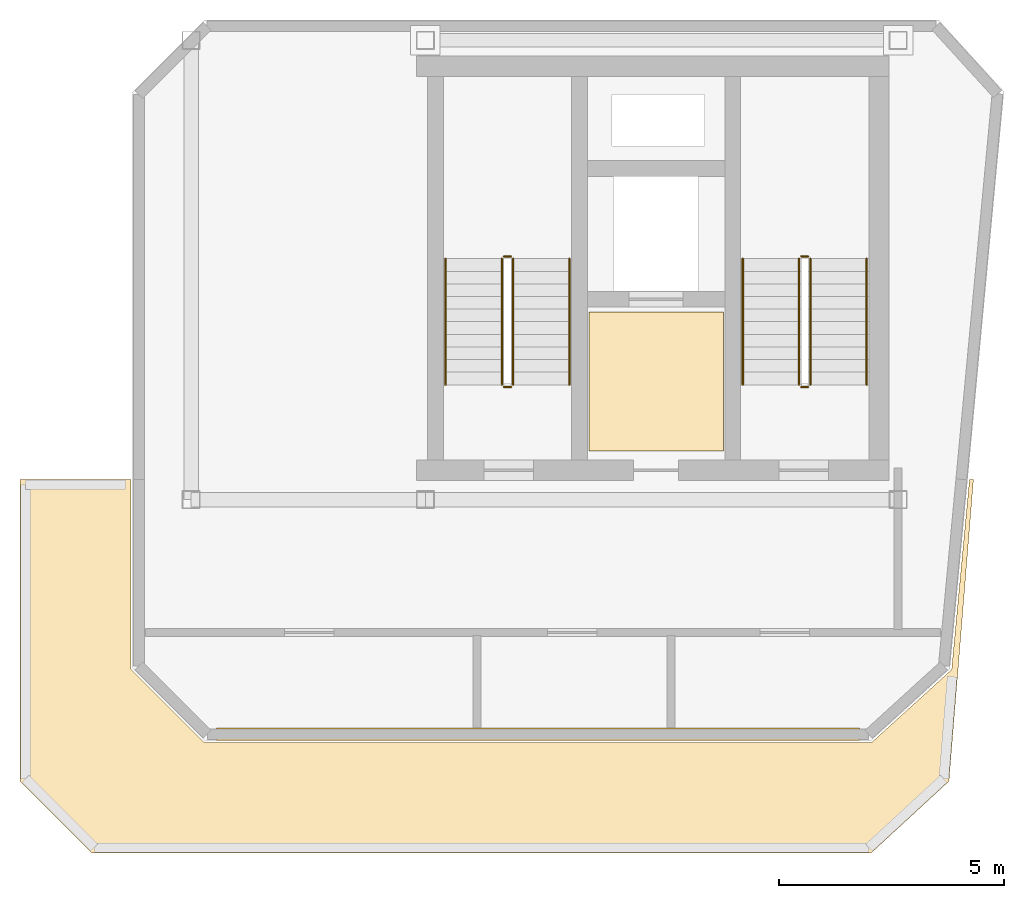
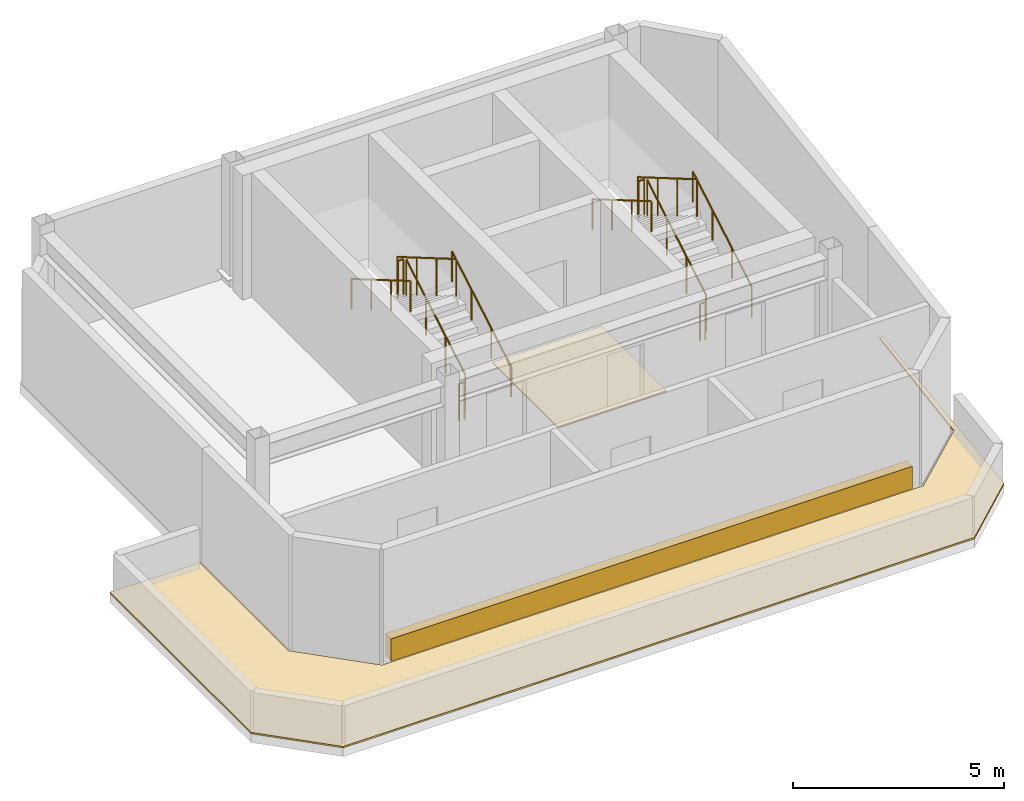
# One storey, part 3 of 3: 12 railings, 3 coverings.
"""IFC4 building model written with IfcOpenShell, lengths in metres."""

from ifc_helpers import new_model, si_unit, direction, frame, origin, origin_2d, place, context, subcontext, project, spatial, polyline, rectangle, circle, outline, extrude, material, layer, layer_set, type_object, element, save


model = new_model("IFC4")

# Units and contexts
model_context = context("Model", 3, precision=1e-05, world=origin(), true_north=direction((0.0, 1.0)))
body_context = subcontext(model_context, "Body", "Model", "MODEL_VIEW")
ifc_project = project(units=[si_unit("LENGTHUNIT", "METRE"), si_unit("AREAUNIT", "SQUARE_METRE"), si_unit("VOLUMEUNIT", "CUBIC_METRE"), si_unit("PLANEANGLEUNIT", "RADIAN"), si_unit("MASSUNIT", "GRAM", prefix="KILO")], contexts=[model_context])

# Site, building, storey
site_placement = place(None, origin())
site = spatial("IfcSite", under=ifc_project, at=site_placement, CompositionType="ELEMENT")
building_placement = place(site_placement, origin())
building = spatial("IfcBuilding", under=site, at=building_placement, Name="Kravanh Interchange Tower", CompositionType="ELEMENT")
storey_placement = place(building_placement, frame((0.0, 0.0, 330.0)))
storey = spatial("IfcBuildingStorey", under=building, at=storey_placement, Name="L82", CompositionType="ELEMENT", Elevation=330.0)

# Coverings
ifc_material_1 = material(Name="Anodised Champagne Bronze Aluminium", Category="aluminium")
ifc_layer_1 = layer(ifc_material_1, 0.02490234375)
ifc_layer_set_1 = layer_set([ifc_layer_1], Name="Anodised Bronze Spandrel Fascia Cladding 25mm")
covering_type_1 = type_object("IfcCoveringType", Name="Anodised Bronze Spandrel Fascia Cladding 25mm", PredefinedType="CLADDING", material=ifc_layer_set_1)
covering_1_placement = place(storey_placement, frame((58.501953125, 32.139892578125, 0.025146484375), z_axis=(0.0, 0.0, 1.0), x_axis=(-1.0, 0.0, 0.0)))
element("IfcCovering", 1, at=covering_1_placement, inside=storey, type_object=covering_type_1, Name="L82 Bronze Fascia Cladding 9", PredefinedType="CLADDING", context=body_context, shape_type="SweptSolid", body=[
    extrude(rectangle(XDim=14.2880859375, YDim=0.27001953125, at=origin_2d()), origin(), (0.0, 0.0, 1.0), 0.64990234375),
])
ifc_material_2 = material(Name="Cementitious Terrazzo Tile")
ifc_layer_2 = layer(ifc_material_2, 0.030029296875)
ifc_layer_set_2 = layer_set([ifc_layer_2], Name="Honed Terrazzo Lobby Flooring 30mm")
covering_type_2 = type_object("IfcCoveringType", Name="Honed Terrazzo Lobby Flooring 30mm", PredefinedType="FLOORING", material=ifc_layer_set_2)
covering_2_placement = place(storey_placement, origin())
element("IfcCovering", 2, at=covering_2_placement, inside=storey, type_object=covering_type_2, Name="L82 Service Lift Lobby Floor Finish", PredefinedType="FLOORING", context=body_context, shape_type="SweptSolid", body=[
    extrude(outline(polyline([(59.6298828125, 41.52001953125), (62.6201171875, 41.52001953125), (62.6201171875, 38.429931640625), (59.6298828125, 38.429931640625), (59.6298828125, 41.52001953125)])), origin(), (0.0, 0.0, 1.0), 0.030029296875),
])
ifc_material_3 = material(Name="SBS Modified Bitumen and XPS Insulation")
ifc_layer_3 = layer(ifc_material_3, 0.044921875)
ifc_layer_set_3 = layer_set([ifc_layer_3], Name="Insulated Waterproof Roofing Membrane 45mm")
covering_type_3 = type_object("IfcCoveringType", Name="Insulated Waterproof Roofing Membrane 45mm", PredefinedType="ROOFING", material=ifc_layer_set_3)
covering_3_placement = place(storey_placement, origin())
element("IfcCovering", 3, at=covering_3_placement, inside=storey, type_object=covering_type_3, Name="L82 Stepped Roof Waterproof Membrane 1", PredefinedType="ROOFING", context=body_context, shape_type="SweptSolid", body=[
    extrude(outline(polyline([(65.89990234375, 29.5), (48.60009765625, 29.5), (47.0, 31.10009765625), (47.0, 37.800048828125), (49.4599609375, 37.800048828125), (49.4599609375, 33.58349609375), (51.08349609375, 31.9599609375), (65.91552734375, 31.9599609375), (67.687744140625, 33.573974609375), (68.083984375, 37.800048828125), (68.173095703125, 37.800048828125), (67.62939453125, 31.0947265625), (65.89990234375, 29.5)])), origin(), (0.0, 0.0, 1.0), 0.044921875),
])

# Railings
ifc_material_4 = material(Name="Structural Steel S355", Category="steel")
ifc_layer_4 = layer(ifc_material_4, 0.050048828125)
ifc_layer_set_4 = layer_set([ifc_layer_4], Name="Stair Well Guardrail Structural Steel S355 1100mm")
railing_type_1 = type_object("IfcRailingType", Name="Stair Well Guardrail Structural Steel S355 1100mm", PredefinedType="GUARDRAIL", material=ifc_layer_set_4)
railing_1_placement = place(storey_placement, frame((64.550048828125, 39.89990234375, 0.16357421875)))
element("IfcRailing", 4, at=railing_1_placement, inside=storey, type_object=railing_type_1, Name="L82 ST1 stair guard 1", PredefinedType="GUARDRAIL", context=body_context, shape_type="SweptSolid", body=[
    extrude(circle(Radius=0.02392578125, at=origin_2d()), frame((0.0, 0.0, 1.076171875), z_axis=(0.0, 0.863360870873, 0.504586966384), x_axis=(-1.0, 0.0, 0.0)), (0.0, 0.0, 1.0), 3.2431640625),
    extrude(circle(Radius=0.02099609375, at=origin_2d()), origin(), (0.0, 0.0, 1.0), 1.052001953125),
    extrude(circle(Radius=0.02099609375, at=origin_2d()), frame((0.0, 0.933349609375, 0.54541015625)), (0.0, 0.0, 1.0), 1.052001953125),
    extrude(circle(Radius=0.02099609375, at=origin_2d()), frame((0.0, 1.86669921875, 1.091064453125)), (0.0, 0.0, 1.0), 1.052001953125),
    extrude(circle(Radius=0.02099609375, at=origin_2d()), frame((0.0, 2.800048828125, 1.636474609375)), (0.0, 0.0, 1.0), 1.052001953125),
])
railing_2_placement = place(storey_placement, frame((64.5, 42.75, 1.800048828125)))
element("IfcRailing", 5, at=railing_2_placement, inside=storey, type_object=railing_type_1, Name="L82 ST1 stair guard 2", PredefinedType="GUARDRAIL", context=body_context, shape_type="SweptSolid", body=[
    extrude(circle(Radius=0.02392578125, at=origin_2d()), frame((0.0, 0.0, 1.076171875), z_axis=(-1.0, 0.0, 0.0), x_axis=(0.0, -1.0, 0.0)), (0.0, 0.0, 1.0), 0.14990234375),
    extrude(circle(Radius=0.02099609375, at=origin_2d()), origin(), (0.0, 0.0, 1.0), 1.052001953125),
    extrude(circle(Radius=0.02099609375, at=origin_2d()), frame((-0.14990234375, 0.0, 0.0)), (0.0, 0.0, 1.0), 1.052001953125),
])
railing_3_placement = place(storey_placement, frame((64.300048828125, 42.699951171875, 1.963623046875)))
element("IfcRailing", 6, at=railing_3_placement, inside=storey, type_object=railing_type_1, Name="L82 ST1 stair guard 3", PredefinedType="GUARDRAIL", context=body_context, shape_type="SweptSolid", body=[
    extrude(circle(Radius=0.02392578125, at=origin_2d()), frame((0.0, 0.0, 1.076171875), z_axis=(0.0, -0.863360870873, 0.504586966384), x_axis=(1.0, 0.0, 0.0)), (0.0, 0.0, 1.0), 3.2431640625),
    extrude(circle(Radius=0.02099609375, at=origin_2d()), origin(), (0.0, 0.0, 1.0), 1.052001953125),
    extrude(circle(Radius=0.02099609375, at=origin_2d()), frame((0.0, -0.933349609375, 0.54541015625)), (0.0, 0.0, 1.0), 1.052001953125),
    extrude(circle(Radius=0.02099609375, at=origin_2d()), frame((0.0, -1.86669921875, 1.091064453125)), (0.0, 0.0, 1.0), 1.052001953125),
    extrude(circle(Radius=0.02099609375, at=origin_2d()), frame((0.0, -2.800048828125, 1.636474609375)), (0.0, 0.0, 1.0), 1.052001953125),
])
railing_4_placement = place(storey_placement, frame((64.5, 39.85009765625, 0.0)))
element("IfcRailing", 7, at=railing_4_placement, inside=storey, type_object=railing_type_1, Name="L82 ST1 stair guard 4", PredefinedType="GUARDRAIL", context=body_context, shape_type="SweptSolid", body=[
    extrude(circle(Radius=0.02392578125, at=origin_2d()), frame((0.0, 0.0, 1.076171875), z_axis=(-1.0, 0.0, 0.0), x_axis=(0.0, -1.0, 0.0)), (0.0, 0.0, 1.0), 0.14990234375),
    extrude(circle(Radius=0.02099609375, at=origin_2d()), origin(), (0.0, 0.0, 1.0), 1.052001953125),
    extrude(circle(Radius=0.02099609375, at=origin_2d()), frame((-0.14990234375, 0.0, 0.0)), (0.0, 0.0, 1.0), 1.052001953125),
])
railing_5_placement = place(storey_placement, frame((57.949951171875, 39.89990234375, 0.16357421875)))
element("IfcRailing", 8, at=railing_5_placement, inside=storey, type_object=railing_type_1, Name="L82 ST2 stair guard 1", PredefinedType="GUARDRAIL", context=body_context, shape_type="SweptSolid", body=[
    extrude(circle(Radius=0.02392578125, at=origin_2d()), frame((0.0, 0.0, 1.076171875), z_axis=(0.0, 0.863360870873, 0.504586966384), x_axis=(-1.0, 0.0, 0.0)), (0.0, 0.0, 1.0), 3.2431640625),
    extrude(circle(Radius=0.02099609375, at=origin_2d()), origin(), (0.0, 0.0, 1.0), 1.052001953125),
    extrude(circle(Radius=0.02099609375, at=origin_2d()), frame((0.0, 0.933349609375, 0.54541015625)), (0.0, 0.0, 1.0), 1.052001953125),
    extrude(circle(Radius=0.02099609375, at=origin_2d()), frame((0.0, 1.86669921875, 1.091064453125)), (0.0, 0.0, 1.0), 1.052001953125),
    extrude(circle(Radius=0.02099609375, at=origin_2d()), frame((0.0, 2.800048828125, 1.636474609375)), (0.0, 0.0, 1.0), 1.052001953125),
])
railing_6_placement = place(storey_placement, frame((57.89990234375, 42.75, 1.800048828125)))
element("IfcRailing", 9, at=railing_6_placement, inside=storey, type_object=railing_type_1, Name="L82 ST2 stair guard 2", PredefinedType="GUARDRAIL", context=body_context, shape_type="SweptSolid", body=[
    extrude(circle(Radius=0.02392578125, at=origin_2d()), frame((0.0, 0.0, 1.076171875), z_axis=(-1.0, 0.0, 0.0), x_axis=(0.0, -1.0, 0.0)), (0.0, 0.0, 1.0), 0.14990234375),
    extrude(circle(Radius=0.02099609375, at=origin_2d()), origin(), (0.0, 0.0, 1.0), 1.052001953125),
    extrude(circle(Radius=0.02099609375, at=origin_2d()), frame((-0.14990234375, 0.0, 0.0)), (0.0, 0.0, 1.0), 1.052001953125),
])
railing_7_placement = place(storey_placement, frame((57.699951171875, 42.699951171875, 1.963623046875)))
element("IfcRailing", 10, at=railing_7_placement, inside=storey, type_object=railing_type_1, Name="L82 ST2 stair guard 3", PredefinedType="GUARDRAIL", context=body_context, shape_type="SweptSolid", body=[
    extrude(circle(Radius=0.02392578125, at=origin_2d()), frame((0.0, 0.0, 1.076171875), z_axis=(0.0, -0.863360870873, 0.504586966384), x_axis=(1.0, 0.0, 0.0)), (0.0, 0.0, 1.0), 3.2431640625),
    extrude(circle(Radius=0.02099609375, at=origin_2d()), origin(), (0.0, 0.0, 1.0), 1.052001953125),
    extrude(circle(Radius=0.02099609375, at=origin_2d()), frame((0.0, -0.933349609375, 0.54541015625)), (0.0, 0.0, 1.0), 1.052001953125),
    extrude(circle(Radius=0.02099609375, at=origin_2d()), frame((0.0, -1.86669921875, 1.091064453125)), (0.0, 0.0, 1.0), 1.052001953125),
    extrude(circle(Radius=0.02099609375, at=origin_2d()), frame((0.0, -2.800048828125, 1.636474609375)), (0.0, 0.0, 1.0), 1.052001953125),
])
railing_8_placement = place(storey_placement, frame((57.89990234375, 39.85009765625, 0.0)))
element("IfcRailing", 11, at=railing_8_placement, inside=storey, type_object=railing_type_1, Name="L82 ST2 stair guard 4", PredefinedType="GUARDRAIL", context=body_context, shape_type="SweptSolid", body=[
    extrude(circle(Radius=0.02392578125, at=origin_2d()), frame((0.0, 0.0, 1.076171875), z_axis=(-1.0, 0.0, 0.0), x_axis=(0.0, -1.0, 0.0)), (0.0, 0.0, 1.0), 0.14990234375),
    extrude(circle(Radius=0.02099609375, at=origin_2d()), origin(), (0.0, 0.0, 1.0), 1.052001953125),
    extrude(circle(Radius=0.02099609375, at=origin_2d()), frame((-0.14990234375, 0.0, 0.0)), (0.0, 0.0, 1.0), 1.052001953125),
])
ifc_material_5 = material(Name="Stainless Steel 304", Category="steel")
ifc_layer_5 = layer(ifc_material_5, 0.044921875)
ifc_layer_set_5 = layer_set([ifc_layer_5], Name="Tubular Stair Handrail Stainless 304 900mm")
railing_type_2 = type_object("IfcRailingType", Name="Tubular Stair Handrail Stainless 304 900mm", PredefinedType="HANDRAIL", material=ifc_layer_set_5)
railing_9_placement = place(storey_placement, frame((65.800048828125, 39.89990234375, 0.16357421875)))
element("IfcRailing", 12, at=railing_9_placement, inside=storey, type_object=railing_type_2, Name="L82 ST1 stair handrail 1", PredefinedType="HANDRAIL", context=body_context, shape_type="SweptSolid", body=[
    extrude(circle(Radius=0.02392578125, at=origin_2d()), frame((0.0, 0.0, 0.8759765625), z_axis=(0.0, 0.863360870873, 0.504586966384), x_axis=(-1.0, 0.0, 0.0)), (0.0, 0.0, 1.0), 3.2431640625),
    extrude(circle(Radius=0.02099609375, at=origin_2d()), origin(), (0.0, 0.0, 1.0), 0.851806640625),
    extrude(circle(Radius=0.02099609375, at=origin_2d()), frame((0.0, 0.933349609375, 0.54541015625)), (0.0, 0.0, 1.0), 0.851806640625),
    extrude(circle(Radius=0.02099609375, at=origin_2d()), frame((0.0, 1.86669921875, 1.091064453125)), (0.0, 0.0, 1.0), 0.851806640625),
    extrude(circle(Radius=0.02099609375, at=origin_2d()), frame((0.0, 2.800048828125, 1.636474609375)), (0.0, 0.0, 1.0), 0.851806640625),
])
railing_10_placement = place(storey_placement, frame((63.050048828125, 42.699951171875, 1.963623046875)))
element("IfcRailing", 13, at=railing_10_placement, inside=storey, type_object=railing_type_2, Name="L82 ST1 stair handrail 2", PredefinedType="HANDRAIL", context=body_context, shape_type="SweptSolid", body=[
    extrude(circle(Radius=0.02392578125, at=origin_2d()), frame((0.0, 0.0, 0.8759765625), z_axis=(0.0, -0.863360870873, 0.504586966384), x_axis=(1.0, 0.0, 0.0)), (0.0, 0.0, 1.0), 3.2431640625),
    extrude(circle(Radius=0.02099609375, at=origin_2d()), origin(), (0.0, 0.0, 1.0), 0.851806640625),
    extrude(circle(Radius=0.02099609375, at=origin_2d()), frame((0.0, -0.933349609375, 0.54541015625)), (0.0, 0.0, 1.0), 0.851806640625),
    extrude(circle(Radius=0.02099609375, at=origin_2d()), frame((0.0, -1.86669921875, 1.091064453125)), (0.0, 0.0, 1.0), 0.851806640625),
    extrude(circle(Radius=0.02099609375, at=origin_2d()), frame((0.0, -2.800048828125, 1.636474609375)), (0.0, 0.0, 1.0), 0.851806640625),
])
railing_11_placement = place(storey_placement, frame((59.199951171875, 39.89990234375, 0.16357421875)))
element("IfcRailing", 14, at=railing_11_placement, inside=storey, type_object=railing_type_2, Name="L82 ST2 stair handrail 1", PredefinedType="HANDRAIL", context=body_context, shape_type="SweptSolid", body=[
    extrude(circle(Radius=0.02392578125, at=origin_2d()), frame((0.0, 0.0, 0.8759765625), z_axis=(0.0, 0.863360870873, 0.504586966384), x_axis=(-1.0, 0.0, 0.0)), (0.0, 0.0, 1.0), 3.2431640625),
    extrude(circle(Radius=0.02099609375, at=origin_2d()), origin(), (0.0, 0.0, 1.0), 0.851806640625),
    extrude(circle(Radius=0.02099609375, at=origin_2d()), frame((0.0, 0.933349609375, 0.54541015625)), (0.0, 0.0, 1.0), 0.851806640625),
    extrude(circle(Radius=0.02099609375, at=origin_2d()), frame((0.0, 1.86669921875, 1.091064453125)), (0.0, 0.0, 1.0), 0.851806640625),
    extrude(circle(Radius=0.02099609375, at=origin_2d()), frame((0.0, 2.800048828125, 1.636474609375)), (0.0, 0.0, 1.0), 0.851806640625),
])
railing_12_placement = place(storey_placement, frame((56.449951171875, 42.699951171875, 1.963623046875)))
element("IfcRailing", 15, at=railing_12_placement, inside=storey, type_object=railing_type_2, Name="L82 ST2 stair handrail 2", PredefinedType="HANDRAIL", context=body_context, shape_type="SweptSolid", body=[
    extrude(circle(Radius=0.02392578125, at=origin_2d()), frame((0.0, 0.0, 0.8759765625), z_axis=(0.0, -0.863360870873, 0.504586966384), x_axis=(1.0, 0.0, 0.0)), (0.0, 0.0, 1.0), 3.2431640625),
    extrude(circle(Radius=0.02099609375, at=origin_2d()), origin(), (0.0, 0.0, 1.0), 0.851806640625),
    extrude(circle(Radius=0.02099609375, at=origin_2d()), frame((0.0, -0.933349609375, 0.54541015625)), (0.0, 0.0, 1.0), 0.851806640625),
    extrude(circle(Radius=0.02099609375, at=origin_2d()), frame((0.0, -1.86669921875, 1.091064453125)), (0.0, 0.0, 1.0), 0.851806640625),
    extrude(circle(Radius=0.02099609375, at=origin_2d()), frame((0.0, -2.800048828125, 1.636474609375)), (0.0, 0.0, 1.0), 0.851806640625),
])

save(model, "model.ifc")
